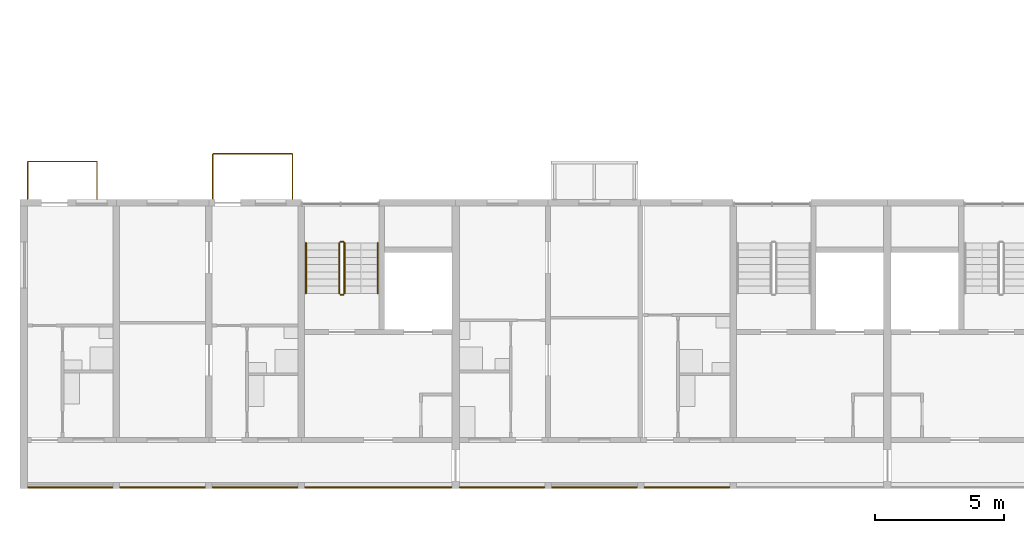
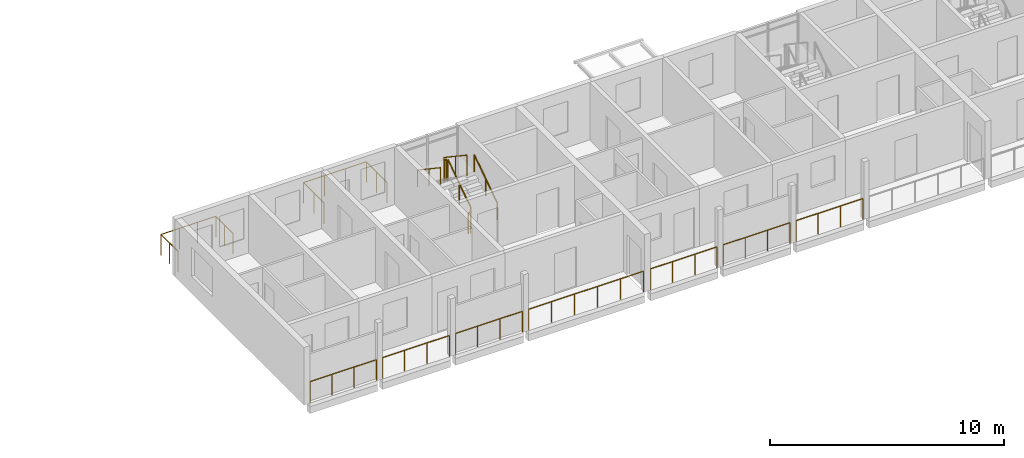
# One storey, part 76 of 98: 15 railings.
"""IFC4 building model written with IfcOpenShell, lengths in metres."""

import ifcopenshell
import ifcopenshell.guid

model = None  # the IFC model being written
_history = None  # IfcOwnerHistory: only IFC2X3 demands one
_inside = {}  # id of a spatial element -> (the spatial element, [elements in it])
_under = {}  # id of a project, library or spatial element -> (it, [spatial elements below it])
_declared = {}  # id of a project -> (the project, [libraries it declares])
_typed = {}  # id of a type object -> (the type object, [elements of that type])
_made_of = {}  # id of a material, layer set ... -> (it, [elements and type objects made of it])


def new_model(schema):
    """Start an empty IFC model of exactly this schema.

    Asked for "IFC4X3", IfcOpenShell would pick the latest addendum, in which some entities
    have other attributes; the version numbers below select the first issue.
    IFC2X3 requires an IfcOwnerHistory on every rooted entity: one is made here for all.
    """
    global model, _history
    if schema == "IFC4X3":
        model = ifcopenshell.file(schema_version=(4, 3, 0, 0))
    else:
        model = ifcopenshell.file(schema=schema)
    _inside.clear()
    _under.clear()
    _declared.clear()
    _typed.clear()
    _made_of.clear()
    _history = None
    if model.schema == "IFC2X3":
        org = make("IfcOrganization", Name="unknown")
        user = make(
            "IfcPersonAndOrganization",
            ThePerson=make("IfcPerson", FamilyName="unknown"),
            TheOrganization=org,
        )
        app = make(
            "IfcApplication",
            ApplicationDeveloper=org,
            Version="unknown",
            ApplicationFullName="unknown",
            ApplicationIdentifier="unknown",
        )
        _history = make(
            "IfcOwnerHistory",
            OwningUser=user,
            OwningApplication=app,
            ChangeAction="ADDED",
            CreationDate=0,
        )
    return model


def make(cls, **values):
    """One entity of the class cls with the attributes given. An attribute that is None is left unset."""
    return model.create_entity(
        cls, **{name: value for name, value in values.items() if value is not None}
    )


def rooted(cls, **values):
    """An entity with a GlobalId (a new one), such as an element, a storey or a relation."""
    return make(cls, GlobalId=ifcopenshell.guid.new(), OwnerHistory=_history, **values)


def si_unit(unit_type, name, prefix=None):
    """IfcSIUnit, for example si_unit("LENGTHUNIT", "METRE", prefix="MILLI")."""
    return make("IfcSIUnit", UnitType=unit_type, Prefix=prefix, Name=name)


def assignment(units):
    """IfcUnitAssignment: the units of a project."""
    return None if units is None else make("IfcUnitAssignment", Units=units)


def point(xyz):
    """IfcCartesianPoint."""
    return None if xyz is None else make("IfcCartesianPoint", Coordinates=xyz)


def direction(xyz):
    """IfcDirection."""
    return None if xyz is None else make("IfcDirection", DirectionRatios=xyz)


def frame(location, z_axis=None, x_axis=None):
    """IfcAxis2Placement3D, a coordinate frame: its origin and axes. An axis left out is left unset."""
    return make(
        "IfcAxis2Placement3D",
        Location=point(location),
        Axis=direction(z_axis),
        RefDirection=direction(x_axis),
    )


def frame_2d(location, x_axis=None):
    """IfcAxis2Placement2D, a coordinate frame in the plane: its origin and x axis."""
    return make(
        "IfcAxis2Placement2D", Location=point(location), RefDirection=direction(x_axis)
    )


def origin():
    """The frame at (0, 0, 0) with its axes left unset."""
    return frame((0.0, 0.0, 0.0))


def origin_2d():
    """The frame at (0, 0) in the plane with its x axis left unset."""
    return frame_2d((0.0, 0.0))


def place(relative_to, where):
    """IfcLocalPlacement: puts the frame where relative to a parent placement (None: the world)."""
    return make(
        "IfcLocalPlacement", PlacementRelTo=relative_to, RelativePlacement=where
    )


def context(
    kind, dimensions, precision=None, world=None, true_north=None, identifier=None
):
    """IfcGeometricRepresentationContext, for example the 3D "Model" context."""
    return make(
        "IfcGeometricRepresentationContext",
        ContextIdentifier=identifier,
        ContextType=kind,
        CoordinateSpaceDimension=dimensions,
        Precision=precision,
        WorldCoordinateSystem=world,
        TrueNorth=true_north,
    )


def subcontext(parent, identifier, kind, view, scale=None):
    """IfcGeometricRepresentationSubContext, for example "Body" below "Model"."""
    return make(
        "IfcGeometricRepresentationSubContext",
        ContextIdentifier=identifier,
        ContextType=kind,
        ParentContext=parent,
        TargetScale=scale,
        TargetView=view,
    )


def project(units=None, contexts=None):
    """IfcProject with its units and contexts."""
    return rooted(
        "IfcProject",
        Name="project",
        RepresentationContexts=contexts,
        UnitsInContext=assignment(units),
    )


def spatial(cls, under=None, at=None, **own):
    """A site, building, storey or space (cls), placed at a placement, below another one or the project."""
    s = rooted(cls, ObjectPlacement=at, **own)
    if under is not None:
        _under.setdefault(under.id(), (under, []))[1].append(s)
    return s


def profile(cls, at=None, kind="AREA", **sizes):
    """A parametric profile (cls). Its sizes go by their IFC names, for example OverallWidth=200.0."""
    return make(cls, ProfileType=kind, Position=at, **sizes)


def circle(**sizes):
    """IfcCircleProfileDef."""
    return profile("IfcCircleProfileDef", **sizes)


def extrude(swept, where, along, depth):
    """IfcExtrudedAreaSolid: the profile swept, set in the frame where, extruded along a direction by depth."""
    return make(
        "IfcExtrudedAreaSolid",
        SweptArea=swept,
        Position=where,
        ExtrudedDirection=direction(along),
        Depth=depth,
    )


def shape(context_of_items, identifier, shape_type, items):
    """IfcShapeRepresentation: the items that make up one representation, for example the "Body"."""
    return make(
        "IfcShapeRepresentation",
        ContextOfItems=context_of_items,
        RepresentationIdentifier=identifier,
        RepresentationType=shape_type,
        Items=items,
    )


def material(Name=None, Category=None):
    """IfcMaterial."""
    return make("IfcMaterial", Name=Name, Category=Category)


def made_of(thing, what):
    """Note that an element or type object is made of a material, layer set ...; save() writes the relation."""
    if what is not None:
        _made_of.setdefault(what.id(), (what, []))[1].append(thing)
    return thing


def type_object(cls, material=None, **own):
    """A type object (cls), such as IfcWallType, which elements share."""
    return made_of(rooted(cls, **own), material)


def element(
    cls,
    number,
    at=None,
    inside=None,
    cuts=None,
    type_object=None,
    material=None,
    context=None,
    identifier="Body",
    shape_type=None,
    held_by="IfcProductDefinitionShape",
    body=None,
    shapes=None,
    **own,
):
    """One element of the class cls, such as IfcWall. Its Tag is "e" and its number.

    at: its placement. inside: the storey or other place that contains it. cuts: it is an
    opening in that element (IfcRelVoidsElement). A single representation is given by context,
    identifier, shape_type and body (its items); several are given by shapes. held_by: the class
    of the entity that holds the representations. save() writes the other relations.
    """
    e = rooted(cls, Tag="e%d" % number, ObjectPlacement=at, **own)
    if body is not None:
        shapes = [shape(context, identifier, shape_type, body)]
    if shapes is not None:
        e.Representation = make(held_by, Representations=shapes)
    if inside is not None:
        _inside.setdefault(inside.id(), (inside, []))[1].append(e)
    if cuts is not None:
        rooted(
            "IfcRelVoidsElement", RelatingBuildingElement=cuts, RelatedOpeningElement=e
        )
    if type_object is not None:
        _typed.setdefault(type_object.id(), (type_object, []))[1].append(e)
    return made_of(e, material)


def aggregate(whole, parts):
    """IfcRelAggregates: a whole, such as a stair, and the parts it consists of."""
    return rooted("IfcRelAggregates", RelatingObject=whole, RelatedObjects=parts)


def save(model, path):
    """Write the relations noted so far, then the file.

    IfcRelAggregates (storeys below a building ...), IfcRelContainedInSpatialStructure (elements
    in a storey), IfcRelDefinesByType, IfcRelAssociatesMaterial and IfcRelDeclares: one each for
    every whole, place, type object, material and project.
    """
    for whole, parts in _under.values():
        aggregate(whole, parts)
    for where, things in _inside.values():
        rooted(
            "IfcRelContainedInSpatialStructure",
            RelatedElements=things,
            RelatingStructure=where,
        )
    for kind, things in _typed.values():
        rooted("IfcRelDefinesByType", RelatedObjects=things, RelatingType=kind)
    for what, things in _made_of.values():
        rooted("IfcRelAssociatesMaterial", RelatedObjects=things, RelatingMaterial=what)
    for by, libraries in _declared.values():
        rooted("IfcRelDeclares", RelatingContext=by, RelatedDefinitions=libraries)
    model.write(path)


model = new_model("IFC4")

# Units and contexts
model_context = context("Model", 3, precision=1e-05, world=origin(), true_north=direction((0.0, 1.0)))
body_context = subcontext(model_context, "Body", "Model", "MODEL_VIEW")
ifc_project = project(units=[si_unit("LENGTHUNIT", "METRE"), si_unit("AREAUNIT", "SQUARE_METRE"), si_unit("VOLUMEUNIT", "CUBIC_METRE"), si_unit("PLANEANGLEUNIT", "RADIAN"), si_unit("MASSUNIT", "GRAM", prefix="KILO")], contexts=[model_context])

# Site, building, storey
site_placement = place(None, origin())
site = spatial("IfcSite", under=ifc_project, at=site_placement, CompositionType="ELEMENT")
building_placement = place(site_placement, origin())
building = spatial("IfcBuilding", under=site, at=building_placement, Name="Ridgestep Commons", CompositionType="ELEMENT")
storey_placement = place(building_placement, frame((0.0, 0.0, 12.0)))
storey = spatial("IfcBuildingStorey", under=building, at=storey_placement, Name="L04", CompositionType="ELEMENT", Elevation=12.0)

# Railings
ifc_material_1 = material(Name="Structural steel S355JR", Category="steel")
railing_type_1 = type_object("IfcRailingType", Name="Guard 1100", PredefinedType="GUARDRAIL", material=ifc_material_1)
railing_1_placement = place(storey_placement, frame((12.1708984375, 11.800048828125, 0.0)))
element("IfcRailing", 1, at=railing_1_placement, inside=storey, type_object=railing_type_1, Name="Gallery guard A 04.1", PredefinedType="GUARDRAIL", context=body_context, shape_type="SweptSolid", body=[
    extrude(circle(Radius=0.02392578125, at=origin_2d()), frame((0.0, 0.0, 1.076171875), z_axis=(1.0, 0.0, 0.0), x_axis=(0.0, 1.0, 0.0)), (0.0, 0.0, 1.0), 3.283203125),
    extrude(circle(Radius=0.02099609375, at=origin_2d()), origin(), (0.0, 0.0, 1.0), 1.052001953125),
    extrude(circle(Radius=0.02099609375, at=origin_2d()), frame((1.094482421875, 0.0, 0.0)), (0.0, 0.0, 1.0), 1.052001953125),
    extrude(circle(Radius=0.02099609375, at=origin_2d()), frame((2.188720703125, 0.0, 0.0)), (0.0, 0.0, 1.0), 1.052001953125),
    extrude(circle(Radius=0.02099609375, at=origin_2d()), frame((3.283203125, 0.0, 0.0)), (0.0, 0.0, 1.0), 1.052001953125),
])
railing_2_placement = place(storey_placement, frame((15.74609375, 11.800048828125, 0.0)))
element("IfcRailing", 2, at=railing_2_placement, inside=storey, type_object=railing_type_1, Name="Gallery guard A 04.2", PredefinedType="GUARDRAIL", context=body_context, shape_type="SweptSolid", body=[
    extrude(circle(Radius=0.02392578125, at=origin_2d()), frame((0.0, 0.0, 1.076171875), z_axis=(1.0, 0.0, 0.0), x_axis=(0.0, 1.0, 0.0)), (0.0, 0.0, 1.0), 3.307861328125),
    extrude(circle(Radius=0.02099609375, at=origin_2d()), origin(), (0.0, 0.0, 1.0), 1.052001953125),
    extrude(circle(Radius=0.02099609375, at=origin_2d()), frame((1.1025390625, 0.0, 0.0)), (0.0, 0.0, 1.0), 1.052001953125),
    extrude(circle(Radius=0.02099609375, at=origin_2d()), frame((2.205322265625, 0.0, 0.0)), (0.0, 0.0, 1.0), 1.052001953125),
    extrude(circle(Radius=0.02099609375, at=origin_2d()), frame((3.307861328125, 0.0, 0.0)), (0.0, 0.0, 1.0), 1.052001953125),
])
railing_3_placement = place(storey_placement, frame((19.345947265625, 11.800048828125, 0.0)))
element("IfcRailing", 3, at=railing_3_placement, inside=storey, type_object=railing_type_1, Name="Gallery guard A 04.3", PredefinedType="GUARDRAIL", context=body_context, shape_type="SweptSolid", body=[
    extrude(circle(Radius=0.02392578125, at=origin_2d()), frame((0.0, 0.0, 1.076171875), z_axis=(1.0, 0.0, 0.0), x_axis=(0.0, 1.0, 0.0)), (0.0, 0.0, 1.0), 3.30810546875),
    extrude(circle(Radius=0.02099609375, at=origin_2d()), origin(), (0.0, 0.0, 1.0), 1.052001953125),
    extrude(circle(Radius=0.02099609375, at=origin_2d()), frame((1.102783203125, 0.0, 0.0)), (0.0, 0.0, 1.0), 1.052001953125),
    extrude(circle(Radius=0.02099609375, at=origin_2d()), frame((2.205322265625, 0.0, 0.0)), (0.0, 0.0, 1.0), 1.052001953125),
    extrude(circle(Radius=0.02099609375, at=origin_2d()), frame((3.30810546875, 0.0, 0.0)), (0.0, 0.0, 1.0), 1.052001953125),
])
railing_4_placement = place(storey_placement, frame((22.946044921875, 11.800048828125, 0.0)))
element("IfcRailing", 4, at=railing_4_placement, inside=storey, type_object=railing_type_1, Name="Gallery guard A 04.4", PredefinedType="GUARDRAIL", context=body_context, shape_type="SweptSolid", body=[
    extrude(circle(Radius=0.02392578125, at=origin_2d()), frame((0.0, 0.0, 1.076171875), z_axis=(1.0, 0.0, 0.0), x_axis=(0.0, 1.0, 0.0)), (0.0, 0.0, 1.0), 5.682861328125),
    extrude(circle(Radius=0.02099609375, at=origin_2d()), origin(), (0.0, 0.0, 1.0), 1.052001953125),
    extrude(circle(Radius=0.02099609375, at=origin_2d()), frame((1.136474609375, 0.0, 0.0)), (0.0, 0.0, 1.0), 1.052001953125),
    extrude(circle(Radius=0.02099609375, at=origin_2d()), frame((2.273193359375, 0.0, 0.0)), (0.0, 0.0, 1.0), 1.052001953125),
    extrude(circle(Radius=0.02099609375, at=origin_2d()), frame((3.40966796875, 0.0, 0.0)), (0.0, 0.0, 1.0), 1.052001953125),
    extrude(circle(Radius=0.02099609375, at=origin_2d()), frame((4.54638671875, 0.0, 0.0)), (0.0, 0.0, 1.0), 1.052001953125),
    extrude(circle(Radius=0.02099609375, at=origin_2d()), frame((5.682861328125, 0.0, 0.0)), (0.0, 0.0, 1.0), 1.052001953125),
])
railing_5_placement = place(storey_placement, frame((28.970947265625, 11.800048828125, 0.0)))
element("IfcRailing", 5, at=railing_5_placement, inside=storey, type_object=railing_type_1, Name="Gallery guard A 04.5", PredefinedType="GUARDRAIL", context=body_context, shape_type="SweptSolid", body=[
    extrude(circle(Radius=0.02392578125, at=origin_2d()), frame((0.0, 0.0, 1.076171875), z_axis=(1.0, 0.0, 0.0), x_axis=(0.0, 1.0, 0.0)), (0.0, 0.0, 1.0), 3.282958984375),
    extrude(circle(Radius=0.02099609375, at=origin_2d()), origin(), (0.0, 0.0, 1.0), 1.052001953125),
    extrude(circle(Radius=0.02099609375, at=origin_2d()), frame((1.09423828125, 0.0, 0.0)), (0.0, 0.0, 1.0), 1.052001953125),
    extrude(circle(Radius=0.02099609375, at=origin_2d()), frame((2.188720703125, 0.0, 0.0)), (0.0, 0.0, 1.0), 1.052001953125),
    extrude(circle(Radius=0.02099609375, at=origin_2d()), frame((3.282958984375, 0.0, 0.0)), (0.0, 0.0, 1.0), 1.052001953125),
])
for number, where, name in (
    (6, (32.5458984375, 11.800048828125, 0.0), "Gallery guard A 04.6"),
    (7, (36.14599609375, 11.800048828125, 0.0), "Gallery guard A 04.7"),
):
    element("IfcRailing", number, at=place(storey_placement, frame(where)), inside=storey, type_object=railing_type_1, Name=name, PredefinedType="GUARDRAIL", context=body_context, shape_type="SweptSolid", body=[
        extrude(circle(Radius=0.02392578125, at=origin_2d()), frame((0.0, 0.0, 1.076171875), z_axis=(1.0, 0.0, 0.0), x_axis=(0.0, 1.0, 0.0)), (0.0, 0.0, 1.0), 3.30810546875),
        extrude(circle(Radius=0.02099609375, at=origin_2d()), origin(), (0.0, 0.0, 1.0), 1.052001953125),
        extrude(circle(Radius=0.02099609375, at=origin_2d()), frame((1.102783203125, 0.0, 0.0)), (0.0, 0.0, 1.0), 1.052001953125),
        extrude(circle(Radius=0.02099609375, at=origin_2d()), frame((2.205322265625, 0.0, 0.0)), (0.0, 0.0, 1.0), 1.052001953125),
        extrude(circle(Radius=0.02099609375, at=origin_2d()), frame((3.30810546875, 0.0, 0.0)), (0.0, 0.0, 1.0), 1.052001953125),
    ])
ifc_material_2 = material(Name="Structural steel S355JR", Category="steel")
railing_type_2 = type_object("IfcRailingType", Name="Stair guard 1100", PredefinedType="GUARDRAIL", material=ifc_material_2)
railing_6_placement = place(storey_placement, frame((24.47509765625, 19.35009765625, 0.1875)))
element("IfcRailing", 8, at=railing_6_placement, inside=storey, type_object=railing_type_2, Name="L04 A1C stair guard 1", PredefinedType="GUARDRAIL", context=body_context, shape_type="SweptSolid", body=[
    extrude(circle(Radius=0.02392578125, at=origin_2d()), frame((0.0, 0.0, 1.076171875), z_axis=(0.0, 0.830902050051, 0.556418712142), x_axis=(-1.0, 0.0, 0.0)), (0.0, 0.0, 1.0), 2.35888671875),
    extrude(circle(Radius=0.02099609375, at=origin_2d()), origin(), (0.0, 0.0, 1.0), 1.052001953125),
    extrude(circle(Radius=0.02099609375, at=origin_2d()), frame((0.0, 0.97998046875, 0.65625)), (0.0, 0.0, 1.0), 1.052001953125),
    extrude(circle(Radius=0.02099609375, at=origin_2d()), frame((0.0, 1.9599609375, 1.3125)), (0.0, 0.0, 1.0), 1.052001953125),
])
railing_7_placement = place(storey_placement, frame((24.425048828125, 21.360107421875, 1.5)))
element("IfcRailing", 9, at=railing_7_placement, inside=storey, type_object=railing_type_2, Name="L04 A1C stair guard 2", PredefinedType="GUARDRAIL", context=body_context, shape_type="SweptSolid", body=[
    extrude(circle(Radius=0.02392578125, at=origin_2d()), frame((0.0, 0.0, 1.076171875), z_axis=(-1.0, 0.0, 0.0), x_axis=(0.0, -1.0, 0.0)), (0.0, 0.0, 1.0), 0.10009765625),
    extrude(circle(Radius=0.02099609375, at=origin_2d()), origin(), (0.0, 0.0, 1.0), 1.052001953125),
    extrude(circle(Radius=0.02099609375, at=origin_2d()), frame((-0.10009765625, 0.0, 0.0)), (0.0, 0.0, 1.0), 1.052001953125),
])
railing_8_placement = place(storey_placement, frame((24.27490234375, 21.31005859375, 1.6875)))
element("IfcRailing", 10, at=railing_8_placement, inside=storey, type_object=railing_type_2, Name="L04 A1C stair guard 3", PredefinedType="GUARDRAIL", context=body_context, shape_type="SweptSolid", body=[
    extrude(circle(Radius=0.02392578125, at=origin_2d()), frame((0.0, 0.0, 1.076171875), z_axis=(0.0, -0.830902050051, 0.556418712142), x_axis=(1.0, 0.0, 0.0)), (0.0, 0.0, 1.0), 2.35888671875),
    extrude(circle(Radius=0.02099609375, at=origin_2d()), origin(), (0.0, 0.0, 1.0), 1.052001953125),
    extrude(circle(Radius=0.02099609375, at=origin_2d()), frame((0.0, -0.97998046875, 0.65625)), (0.0, 0.0, 1.0), 1.052001953125),
    extrude(circle(Radius=0.02099609375, at=origin_2d()), frame((0.0, -1.9599609375, 1.3125)), (0.0, 0.0, 1.0), 1.052001953125),
])
railing_9_placement = place(storey_placement, frame((24.425048828125, 19.300048828125, 0.0)))
element("IfcRailing", 11, at=railing_9_placement, inside=storey, type_object=railing_type_2, Name="L04 A1C stair guard 4", PredefinedType="GUARDRAIL", context=body_context, shape_type="SweptSolid", body=[
    extrude(circle(Radius=0.02392578125, at=origin_2d()), frame((0.0, 0.0, 1.076171875), z_axis=(-1.0, 0.0, 0.0), x_axis=(0.0, -1.0, 0.0)), (0.0, 0.0, 1.0), 0.10009765625),
    extrude(circle(Radius=0.02099609375, at=origin_2d()), origin(), (0.0, 0.0, 1.0), 1.052001953125),
    extrude(circle(Radius=0.02099609375, at=origin_2d()), frame((-0.10009765625, 0.0, 0.0)), (0.0, 0.0, 1.0), 1.052001953125),
])
ifc_material_3 = material(Name="Structural steel S355JR", Category="steel")
railing_type_3 = type_object("IfcRailingType", Name="Stair handrail 900", PredefinedType="HANDRAIL", material=ifc_material_3)
railing_10_placement = place(storey_placement, frame((25.77490234375, 19.35009765625, 0.1875)))
element("IfcRailing", 12, at=railing_10_placement, inside=storey, type_object=railing_type_3, Name="L04 A1C stair handrail 1", PredefinedType="HANDRAIL", context=body_context, shape_type="SweptSolid", body=[
    extrude(circle(Radius=0.02392578125, at=origin_2d()), frame((0.0, 0.0, 0.8759765625), z_axis=(0.0, 0.830902050051, 0.556418712142), x_axis=(-1.0, 0.0, 0.0)), (0.0, 0.0, 1.0), 2.35888671875),
    extrude(circle(Radius=0.02099609375, at=origin_2d()), origin(), (0.0, 0.0, 1.0), 0.851806640625),
    extrude(circle(Radius=0.02099609375, at=origin_2d()), frame((0.0, 0.97998046875, 0.65625)), (0.0, 0.0, 1.0), 0.851806640625),
    extrude(circle(Radius=0.02099609375, at=origin_2d()), frame((0.0, 1.9599609375, 1.3125)), (0.0, 0.0, 1.0), 0.851806640625),
])
railing_11_placement = place(storey_placement, frame((22.97509765625, 21.31005859375, 1.6875)))
element("IfcRailing", 13, at=railing_11_placement, inside=storey, type_object=railing_type_3, Name="L04 A1C stair handrail 2", PredefinedType="HANDRAIL", context=body_context, shape_type="SweptSolid", body=[
    extrude(circle(Radius=0.02392578125, at=origin_2d()), frame((0.0, 0.0, 0.8759765625), z_axis=(0.0, -0.830902050051, 0.556418712142), x_axis=(1.0, 0.0, 0.0)), (0.0, 0.0, 1.0), 2.35888671875),
    extrude(circle(Radius=0.02099609375, at=origin_2d()), origin(), (0.0, 0.0, 1.0), 0.851806640625),
    extrude(circle(Radius=0.02099609375, at=origin_2d()), frame((0.0, -0.97998046875, 0.65625)), (0.0, 0.0, 1.0), 0.851806640625),
    extrude(circle(Radius=0.02099609375, at=origin_2d()), frame((0.0, -1.9599609375, 1.3125)), (0.0, 0.0, 1.0), 0.851806640625),
])
ifc_material_4 = material(Name="Weathering steel S355J2W", Category="steel")
railing_type_4 = type_object("IfcRailingType", Name="Tray guard 1100", PredefinedType="GUARDRAIL", material=ifc_material_4)
railing_12_placement = place(storey_placement, frame((12.15087890625, 23.02099609375, 0.0)))
element("IfcRailing", 14, at=railing_12_placement, inside=storey, type_object=railing_type_4, Name="Tray guard A1T1-04", PredefinedType="GUARDRAIL", context=body_context, shape_type="SweptSolid", body=[
    extrude(circle(Radius=0.02392578125, at=origin_2d()), frame((0.0, 0.0, 1.076171875), z_axis=(0.0, 1.0, 0.0), x_axis=(-1.0, 0.0, 0.0)), (0.0, 0.0, 1.0), 1.4580078125),
    extrude(circle(Radius=0.02392578125, at=origin_2d()), frame((0.0, 1.4580078125, 1.076171875), z_axis=(1.0, 0.0, 0.0), x_axis=(0.0, 1.0, 0.0)), (0.0, 0.0, 1.0), 2.6982421875),
    extrude(circle(Radius=0.02392578125, at=origin_2d()), frame((2.6982421875, 1.4580078125, 1.076171875), z_axis=(0.0, -1.0, 0.0), x_axis=(1.0, 0.0, 0.0)), (0.0, 0.0, 1.0), 1.4580078125),
    extrude(circle(Radius=0.02099609375, at=origin_2d()), origin(), (0.0, 0.0, 1.0), 1.052001953125),
    extrude(circle(Radius=0.02099609375, at=origin_2d()), frame((0.0, 0.72900390625, 0.0)), (0.0, 0.0, 1.0), 1.052001953125),
    extrude(circle(Radius=0.02099609375, at=origin_2d()), frame((0.0, 1.4580078125, 0.0)), (0.0, 0.0, 1.0), 1.052001953125),
    extrude(circle(Radius=0.02099609375, at=origin_2d()), frame((0.8994140625, 1.4580078125, 0.0)), (0.0, 0.0, 1.0), 1.052001953125),
    extrude(circle(Radius=0.02099609375, at=origin_2d()), frame((1.798828125, 1.4580078125, 0.0)), (0.0, 0.0, 1.0), 1.052001953125),
    extrude(circle(Radius=0.02099609375, at=origin_2d()), frame((2.6982421875, 1.4580078125, 0.0)), (0.0, 0.0, 1.0), 1.052001953125),
    extrude(circle(Radius=0.02099609375, at=origin_2d()), frame((2.6982421875, 0.72900390625, 0.0)), (0.0, 0.0, 1.0), 1.052001953125),
    extrude(circle(Radius=0.02099609375, at=origin_2d()), frame((2.6982421875, 0.0, 0.0)), (0.0, 0.0, 1.0), 1.052001953125),
])
railing_13_placement = place(storey_placement, frame((19.35107421875, 23.02099609375, 0.0)))
element("IfcRailing", 15, at=railing_13_placement, inside=storey, type_object=railing_type_4, Name="Tray guard A1T3-04", PredefinedType="GUARDRAIL", context=body_context, shape_type="SweptSolid", body=[
    extrude(circle(Radius=0.02392578125, at=origin_2d()), frame((0.0, 0.0, 1.076171875), z_axis=(0.0, 1.0, 0.0), x_axis=(-1.0, 0.0, 0.0)), (0.0, 0.0, 1.0), 1.758056640625),
    extrude(circle(Radius=0.02392578125, at=origin_2d()), frame((0.0, 1.758056640625, 1.076171875), z_axis=(1.0, 0.0, 0.0), x_axis=(0.0, 1.0, 0.0)), (0.0, 0.0, 1.0), 3.097900390625),
    extrude(circle(Radius=0.02392578125, at=origin_2d()), frame((3.097900390625, 1.758056640625, 1.076171875), z_axis=(0.0, -1.0, 0.0), x_axis=(1.0, 0.0, 0.0)), (0.0, 0.0, 1.0), 1.758056640625),
    extrude(circle(Radius=0.02099609375, at=origin_2d()), origin(), (0.0, 0.0, 1.0), 1.052001953125),
    extrude(circle(Radius=0.02099609375, at=origin_2d()), frame((0.0, 0.87890625, 0.0)), (0.0, 0.0, 1.0), 1.052001953125),
    extrude(circle(Radius=0.02099609375, at=origin_2d()), frame((0.0, 1.758056640625, 0.0)), (0.0, 0.0, 1.0), 1.052001953125),
    extrude(circle(Radius=0.02099609375, at=origin_2d()), frame((1.03271484375, 1.758056640625, 0.0)), (0.0, 0.0, 1.0), 1.052001953125),
    extrude(circle(Radius=0.02099609375, at=origin_2d()), frame((2.065185546875, 1.758056640625, 0.0)), (0.0, 0.0, 1.0), 1.052001953125),
    extrude(circle(Radius=0.02099609375, at=origin_2d()), frame((3.097900390625, 1.758056640625, 0.0)), (0.0, 0.0, 1.0), 1.052001953125),
    extrude(circle(Radius=0.02099609375, at=origin_2d()), frame((3.097900390625, 0.87890625, 0.0)), (0.0, 0.0, 1.0), 1.052001953125),
    extrude(circle(Radius=0.02099609375, at=origin_2d()), frame((3.097900390625, 0.0, 0.0)), (0.0, 0.0, 1.0), 1.052001953125),
])

save(model, "model.ifc")
